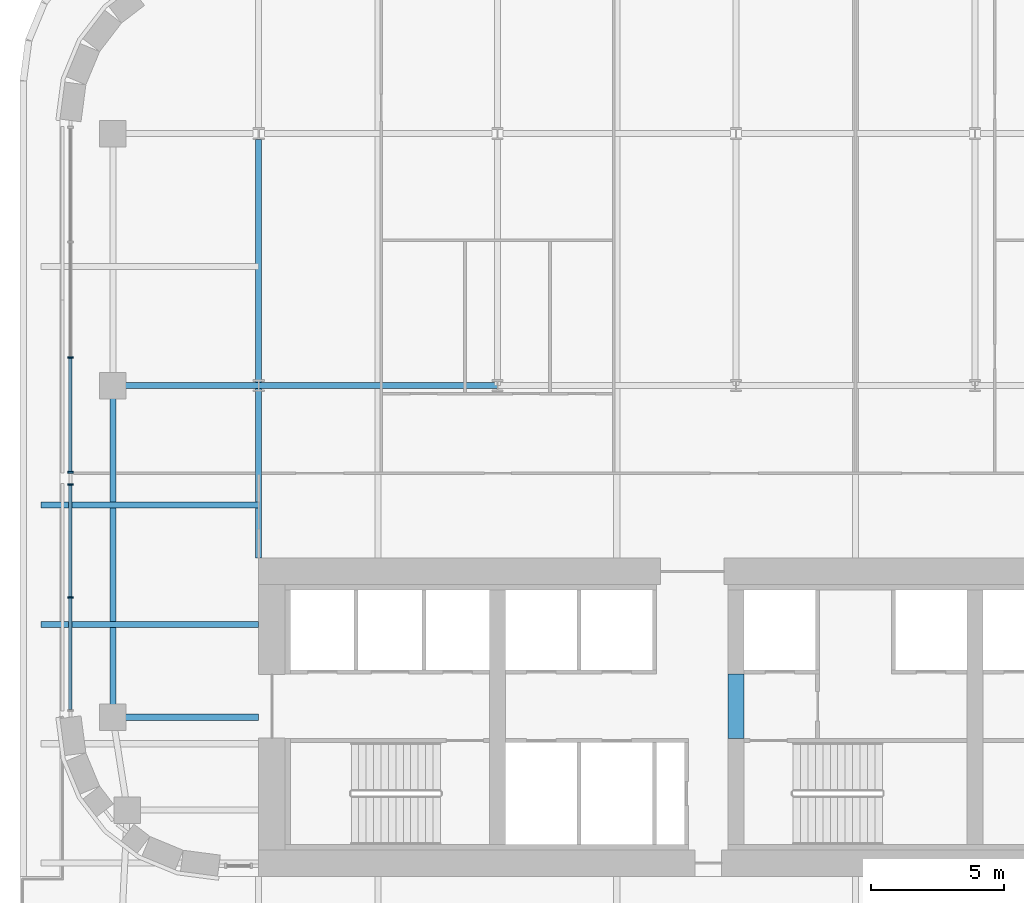
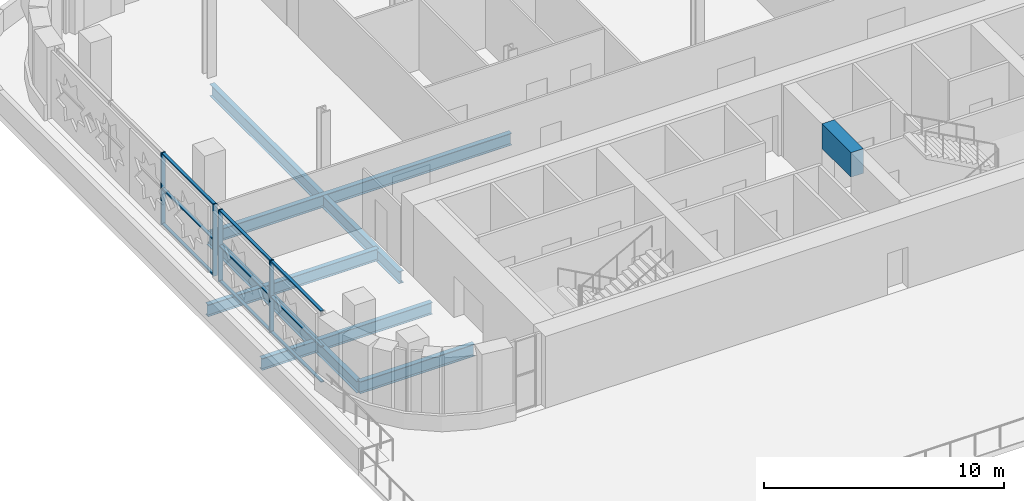
# One storey, part 4 of 26: 13 members, 7 beams, 2 elements without a shape of their own.
"""IFC4 building model written with IfcOpenShell, lengths in metres."""

from ifc_helpers import new_model, si_unit, direction, frame, origin, origin_2d, place, context, subcontext, project, spatial, rectangle, i_section, extrude, material, material_profile, profile_set, type_object, element, aggregate, save


model = new_model("IFC4")

# Units and contexts
model_context = context("Model", 3, precision=1e-05, world=origin(), true_north=direction((0.0, 1.0)))
body_context = subcontext(model_context, "Body", "Model", "MODEL_VIEW")
ifc_project = project(units=[si_unit("LENGTHUNIT", "METRE"), si_unit("AREAUNIT", "SQUARE_METRE"), si_unit("VOLUMEUNIT", "CUBIC_METRE"), si_unit("PLANEANGLEUNIT", "RADIAN"), si_unit("MASSUNIT", "GRAM", prefix="KILO")], contexts=[model_context])

# Site, building, storey
site_placement = place(None, origin())
site = spatial("IfcSite", under=ifc_project, at=site_placement, CompositionType="ELEMENT")
building_placement = place(site_placement, origin())
building = spatial("IfcBuilding", under=site, at=building_placement, Name="Zellij Exchange Tower", CompositionType="ELEMENT")
storey_placement = place(building_placement, frame((0.0, 0.0, 156.5)))
storey = spatial("IfcBuildingStorey", under=building, at=storey_placement, Name="L35", CompositionType="ELEMENT", Elevation=156.5)

# Beam
ifc_material_1 = material(Name="Concrete C70/85", Category="concrete")
ifc_material_profile_1 = material_profile(ifc_material_1, rectangle(XDim=0.60009765625, YDim=1.25, at=origin_2d()), Name="CORE-CB 600x1250 C70/85")
ifc_profile_set_1 = profile_set([ifc_material_profile_1], Name="Concrete C70/85")
beam_type_1 = type_object("IfcBeamType", Name="CORE-CB 600x1250 C70/85", PredefinedType="BEAM", material=ifc_profile_set_1)
beam_1_placement = place(storey_placement, frame((-9.0, -8.800048828125, 3.02490234375), z_axis=(0.0, 1.0, 0.0), x_axis=(-1.0, 0.0, 0.0)))
element("IfcBeam", 1, at=beam_1_placement, inside=storey, type_object=beam_type_1, Name="Core coupling beam x -9 L35", PredefinedType="BEAM", context=body_context, shape_type="SweptSolid", body=[
    extrude(rectangle(XDim=0.60009765625, YDim=1.25, at=origin_2d()), origin(), (0.0, 0.0, 1.0), 2.425048828125),
])

# Curtain wall, members
ifc_material_2 = material(Name="Aluminium frame, clear insulating glass", Category="aluminium")
curtain_wall_type = type_object("IfcCurtainWallType", Name="ENV-CW6 Sky-lobby glazing", PredefinedType="NOTDEFINED", material=ifc_material_2)
curtain_wall_1_placement = place(storey_placement, origin())
curtain_wall_1 = element("IfcCurtainWall", 2, at=curtain_wall_1_placement, inside=storey, type_object=curtain_wall_type, Name="cw.L35.21a", PredefinedType="NOTDEFINED")
ifc_material_3 = material(Name="Aluminium", Category="aluminium")
ifc_material_profile_2 = material_profile(ifc_material_3, rectangle(XDim=0.06005859375, YDim=0.199951171875, at=origin_2d()), Name="AL 60x200")
ifc_profile_set_2 = profile_set([ifc_material_profile_2], Name="Aluminium")
member_type_1 = type_object("IfcMemberType", Name="ENV-CW6M Mullion 60x200", PredefinedType="MULLION", material=ifc_profile_set_2)
member_1_placement = place(storey_placement, frame((-34.10009765625, 5.5615234375, 0.0), z_axis=(0.0, 0.0, 1.0), x_axis=(0.0, -1.0, 0.0)))
member_1 = element("IfcMember", 3, at=member_1_placement, type_object=member_type_1, Name="CW6 mullion 3", PredefinedType="MULLION", context=body_context, shape_type="SweptSolid", body=[
    extrude(rectangle(XDim=0.06005859375, YDim=0.199951171875, at=origin_2d()), origin(), (0.0, 0.0, 1.0), 3.64990234375),
])
member_2_placement = place(storey_placement, frame((-34.10009765625, 1.2353515625, 0.0), z_axis=(0.0, 0.0, 1.0), x_axis=(0.0, -1.0, 0.0)))
member_2 = element("IfcMember", 4, at=member_2_placement, type_object=member_type_1, Name="CW6 mullion 4", PredefinedType="MULLION", context=body_context, shape_type="SweptSolid", body=[
    extrude(rectangle(XDim=0.06005859375, YDim=0.199951171875, at=origin_2d()), origin(), (0.0, 0.0, 1.0), 3.64990234375),
])

curtain_wall_2_placement = place(storey_placement, origin())
curtain_wall_2 = element("IfcCurtainWall", 5, at=curtain_wall_2_placement, inside=storey, type_object=curtain_wall_type, Name="cw.L35.21b", PredefinedType="NOTDEFINED")
member_3_placement = place(storey_placement, frame((-34.10009765625, 0.775390625, 0.0), z_axis=(0.0, 0.0, 1.0), x_axis=(0.0, -1.0, 0.0)))
member_3 = element("IfcMember", 6, at=member_3_placement, type_object=member_type_1, Name="CW6 mullion 1", PredefinedType="MULLION", context=body_context, shape_type="SweptSolid", body=[
    extrude(rectangle(XDim=0.06005859375, YDim=0.199951171875, at=origin_2d()), origin(), (0.0, 0.0, 1.0), 3.64990234375),
])
member_4_placement = place(storey_placement, frame((-34.10009765625, -3.484130859375, 0.0), z_axis=(0.0, 0.0, 1.0), x_axis=(0.0, -1.0, 0.0)))
member_4 = element("IfcMember", 7, at=member_4_placement, type_object=member_type_1, Name="CW6 mullion 2", PredefinedType="MULLION", context=body_context, shape_type="SweptSolid", body=[
    extrude(rectangle(XDim=0.06005859375, YDim=0.199951171875, at=origin_2d()), origin(), (0.0, 0.0, 1.0), 3.64990234375),
])

# Member
ifc_material_profile_3 = material_profile(ifc_material_3, rectangle(XDim=0.139892578125, YDim=0.06005859375, at=origin_2d()), Name="AL 140x60")
ifc_profile_set_3 = profile_set([ifc_material_profile_3], Name="Aluminium")
member_type_2 = type_object("IfcMemberType", Name="ENV-CW6T Transom 140x60", PredefinedType="USERDEFINED", material=ifc_profile_set_3)
member_5_placement = place(storey_placement, frame((-34.10009765625, 5.531494140625, 0.030029296875), z_axis=(0.0, -1.0, 0.0), x_axis=(1.0, 0.0, 0.0)))
member_5 = element("IfcMember", 8, at=member_5_placement, type_object=member_type_2, Name="CW6 transom 3.1", ObjectType="TRANSOM", PredefinedType="USERDEFINED", context=body_context, shape_type="SweptSolid", body=[
    extrude(rectangle(XDim=0.139892578125, YDim=0.06005859375, at=origin_2d()), origin(), (0.0, 0.0, 1.0), 4.26611328125),
])

member_6_placement = place(storey_placement, frame((-34.10009765625, 5.531494140625, 1.824951171875), z_axis=(0.0, -1.0, 0.0), x_axis=(1.0, 0.0, 0.0)))
member_6 = element("IfcMember", 9, at=member_6_placement, type_object=member_type_2, Name="CW6 transom 3.2", ObjectType="TRANSOM", PredefinedType="USERDEFINED", context=body_context, shape_type="SweptSolid", body=[
    extrude(rectangle(XDim=0.139892578125, YDim=0.06005859375, at=origin_2d()), origin(), (0.0, 0.0, 1.0), 4.26611328125),
])

member_7_placement = place(storey_placement, frame((-34.10009765625, 5.531494140625, 3.6201171875), z_axis=(0.0, -1.0, 0.0), x_axis=(1.0, 0.0, 0.0)))
member_7 = element("IfcMember", 10, at=member_7_placement, type_object=member_type_2, Name="CW6 transom 3.3", ObjectType="TRANSOM", PredefinedType="USERDEFINED", context=body_context, shape_type="SweptSolid", body=[
    extrude(rectangle(XDim=0.139892578125, YDim=0.06005859375, at=origin_2d()), origin(), (0.0, 0.0, 1.0), 4.26611328125),
])

aggregate(curtain_wall_1, [member_1, member_2, member_5, member_6, member_7])

member_8_placement = place(storey_placement, frame((-34.10009765625, 0.745361328125, 0.030029296875), z_axis=(0.0, -1.0, 0.0), x_axis=(1.0, 0.0, 0.0)))
member_8 = element("IfcMember", 11, at=member_8_placement, type_object=member_type_2, Name="CW6 transom 1.1", ObjectType="TRANSOM", PredefinedType="USERDEFINED", context=body_context, shape_type="SweptSolid", body=[
    extrude(rectangle(XDim=0.139892578125, YDim=0.06005859375, at=origin_2d()), origin(), (0.0, 0.0, 1.0), 4.19970703125),
])

member_9_placement = place(storey_placement, frame((-34.10009765625, 0.745361328125, 1.824951171875), z_axis=(0.0, -1.0, 0.0), x_axis=(1.0, 0.0, 0.0)))
member_9 = element("IfcMember", 12, at=member_9_placement, type_object=member_type_2, Name="CW6 transom 1.2", ObjectType="TRANSOM", PredefinedType="USERDEFINED", context=body_context, shape_type="SweptSolid", body=[
    extrude(rectangle(XDim=0.139892578125, YDim=0.06005859375, at=origin_2d()), origin(), (0.0, 0.0, 1.0), 4.19970703125),
])

member_10_placement = place(storey_placement, frame((-34.10009765625, 0.745361328125, 3.6201171875), z_axis=(0.0, -1.0, 0.0), x_axis=(1.0, 0.0, 0.0)))
member_10 = element("IfcMember", 13, at=member_10_placement, type_object=member_type_2, Name="CW6 transom 1.3", ObjectType="TRANSOM", PredefinedType="USERDEFINED", context=body_context, shape_type="SweptSolid", body=[
    extrude(rectangle(XDim=0.139892578125, YDim=0.06005859375, at=origin_2d()), origin(), (0.0, 0.0, 1.0), 4.19970703125),
])

member_11_placement = place(storey_placement, frame((-34.10009765625, -3.51416015625, 0.030029296875), z_axis=(0.0, -1.0, 0.0), x_axis=(1.0, 0.0, 0.0)))
member_11 = element("IfcMember", 14, at=member_11_placement, type_object=member_type_2, Name="CW6 transom 2.1", ObjectType="TRANSOM", PredefinedType="USERDEFINED", context=body_context, shape_type="SweptSolid", body=[
    extrude(rectangle(XDim=0.139892578125, YDim=0.06005859375, at=origin_2d()), origin(), (0.0, 0.0, 1.0), 4.19970703125),
])

member_12_placement = place(storey_placement, frame((-34.10009765625, -3.51416015625, 1.824951171875), z_axis=(0.0, -1.0, 0.0), x_axis=(1.0, 0.0, 0.0)))
member_12 = element("IfcMember", 15, at=member_12_placement, type_object=member_type_2, Name="CW6 transom 2.2", ObjectType="TRANSOM", PredefinedType="USERDEFINED", context=body_context, shape_type="SweptSolid", body=[
    extrude(rectangle(XDim=0.139892578125, YDim=0.06005859375, at=origin_2d()), origin(), (0.0, 0.0, 1.0), 4.19970703125),
])

member_13_placement = place(storey_placement, frame((-34.10009765625, -3.51416015625, 3.6201171875), z_axis=(0.0, -1.0, 0.0), x_axis=(1.0, 0.0, 0.0)))
member_13 = element("IfcMember", 16, at=member_13_placement, type_object=member_type_2, Name="CW6 transom 2.3", ObjectType="TRANSOM", PredefinedType="USERDEFINED", context=body_context, shape_type="SweptSolid", body=[
    extrude(rectangle(XDim=0.139892578125, YDim=0.06005859375, at=origin_2d()), origin(), (0.0, 0.0, 1.0), 4.19970703125),
])

aggregate(curtain_wall_2, [member_3, member_4, member_8, member_9, member_10, member_11, member_12, member_13])

# Beams
ifc_material_4 = material(Name="Structural steel ASTM A992 Gr 50", Category="steel")
ifc_material_profile_4 = material_profile(ifc_material_4, i_section(OverallWidth=0.227783203125, OverallDepth=0.60205078125, WebThickness=0.010498046875, FlangeThickness=0.014892578125, at=origin_2d()), Name="W24x68")
ifc_profile_set_4 = profile_set([ifc_material_profile_4], Name="Structural steel ASTM A992 Gr 50")
beam_type_2 = type_object("IfcBeamType", Name="STR-BEAM W24x68", PredefinedType="BEAM", material=ifc_profile_set_4)
for number, where, z_axis, x_axis, name in (
    (17, (-35.199951171875, -4.5, -0.60107421875), (1.0, 0.0, 0.0), (0.0, 1.0, 0.0), "B5"),
    (18, (-35.199951171875, 0.0, -0.60107421875), (1.0, 0.0, 0.0), (0.0, 1.0, 0.0), "B5"),
):
    element("IfcBeam", number, at=place(storey_placement, frame(where, z_axis=z_axis, x_axis=x_axis)), inside=storey, type_object=beam_type_2, Name=name, PredefinedType="BEAM", context=body_context, shape_type="SweptSolid", body=[
        extrude(i_section(OverallWidth=0.227783203125, OverallDepth=0.60205078125, WebThickness=0.010498046875, FlangeThickness=0.014892578125, at=origin_2d()), origin(), (0.0, 0.0, 1.0), 8.199951171875),
    ])
ifc_material_profile_5 = material_profile(ifc_material_4, i_section(OverallWidth=0.22900390625, OverallDepth=0.612060546875, WebThickness=0.011962890625, FlangeThickness=0.01953125, at=origin_2d()), Name="W24x84")
ifc_profile_set_5 = profile_set([ifc_material_profile_5], Name="Structural steel ASTM A992 Gr 50")
beam_type_3 = type_object("IfcBeamType", Name="STR-EDGE GIRDER W24x84", PredefinedType="BEAM", material=ifc_profile_set_5)
beam_2_placement = place(storey_placement, frame((-32.5, -8.0, -0.606201171875), z_axis=(0.0, 1.0, 0.0), x_axis=(-1.0, 0.0, 0.0)))
element("IfcBeam", 19, at=beam_2_placement, inside=storey, type_object=beam_type_3, Name="EB6", PredefinedType="BEAM", context=body_context, shape_type="SweptSolid", body=[
    extrude(i_section(OverallWidth=0.22900390625, OverallDepth=0.612060546875, WebThickness=0.011962890625, FlangeThickness=0.01953125, at=origin_2d()), origin(), (0.0, 0.0, 1.0), 12.5),
])
ifc_material_profile_6 = material_profile(ifc_material_4, i_section(OverallWidth=0.22900390625, OverallDepth=0.612060546875, WebThickness=0.011962890625, FlangeThickness=0.01953125, at=origin_2d()), Name="W24x84")
ifc_profile_set_6 = profile_set([ifc_material_profile_6], Name="Structural steel ASTM A992 Gr 50")
beam_type_4 = type_object("IfcBeamType", Name="STR-GIRDER W24x84", PredefinedType="BEAM", material=ifc_profile_set_6)
beam_3_placement = place(storey_placement, frame((-32.5, -8.0, -0.606201171875), z_axis=(1.0, 0.0, 0.0), x_axis=(0.0, 1.0, 0.0)))
element("IfcBeam", 20, at=beam_3_placement, inside=storey, type_object=beam_type_4, Name="G4", PredefinedType="BEAM", context=body_context, shape_type="SweptSolid", body=[
    extrude(i_section(OverallWidth=0.22900390625, OverallDepth=0.612060546875, WebThickness=0.011962890625, FlangeThickness=0.01953125, at=origin_2d()), origin(), (0.0, 0.0, 1.0), 5.5),
])
beam_4_placement = place(storey_placement, frame((-32.5, 4.5, -0.606201171875), z_axis=(1.0, 0.0, 0.0), x_axis=(0.0, 1.0, 0.0)))
element("IfcBeam", 21, at=beam_4_placement, inside=storey, type_object=beam_type_4, Name="G4", PredefinedType="BEAM", context=body_context, shape_type="SweptSolid", body=[
    extrude(i_section(OverallWidth=0.22900390625, OverallDepth=0.612060546875, WebThickness=0.011962890625, FlangeThickness=0.01953125, at=origin_2d()), origin(), (0.0, 0.0, 1.0), 14.5),
])
beam_5_placement = place(storey_placement, frame((-27.0, -2.0, -0.606201171875), z_axis=(0.0, 1.0, 0.0), x_axis=(-1.0, 0.0, 0.0)))
element("IfcBeam", 22, at=beam_5_placement, inside=storey, type_object=beam_type_4, Name="G4", PredefinedType="BEAM", context=body_context, shape_type="SweptSolid", body=[
    extrude(i_section(OverallWidth=0.22900390625, OverallDepth=0.612060546875, WebThickness=0.011962890625, FlangeThickness=0.01953125, at=origin_2d()), origin(), (0.0, 0.0, 1.0), 15.772705078125),
])

save(model, "model.ifc")
